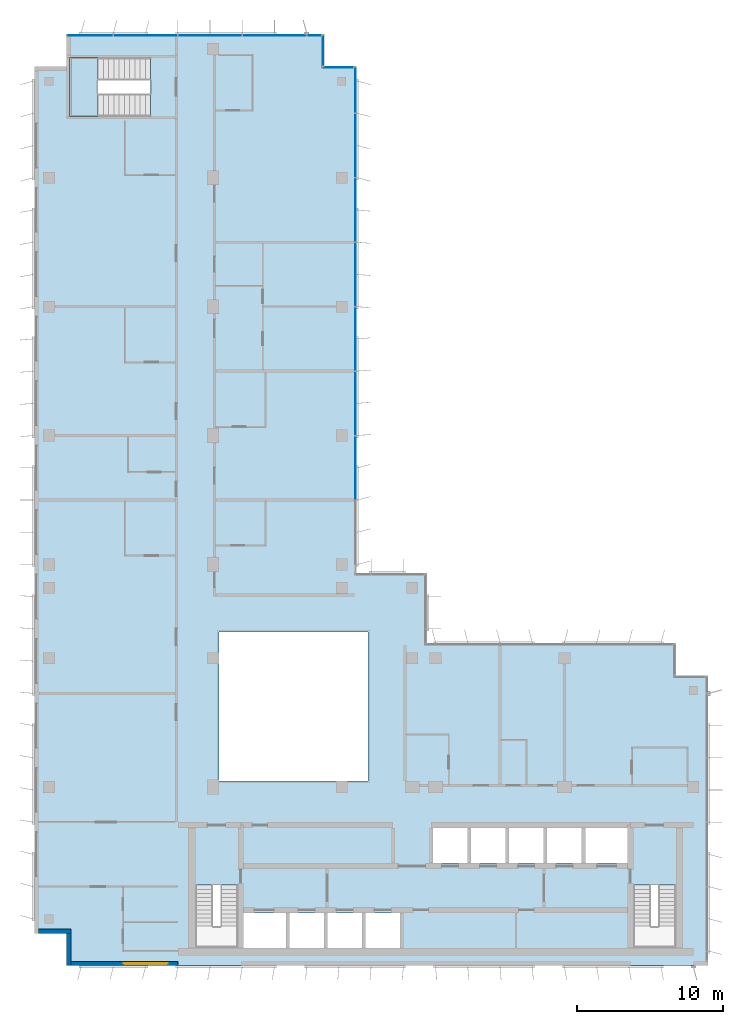
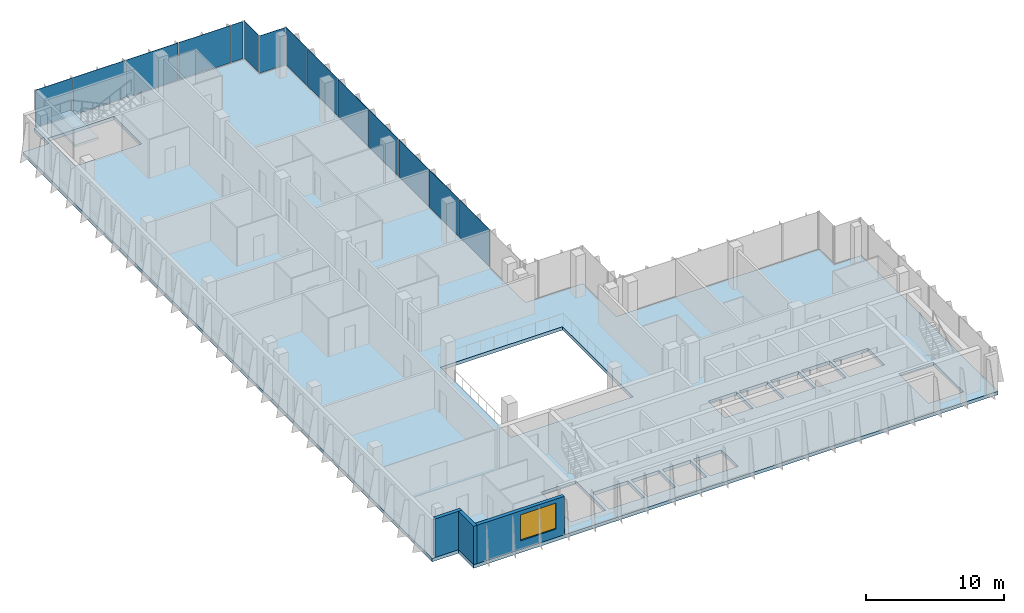
# One storey, part 8 of 15: 14 plates, 3 walls, 2 slabs, 1 window, 1 opening, 5 elements without a shape of their own.
"""IFC4 building model written with IfcOpenShell, lengths in metres."""

from ifc_helpers import new_model, si_unit, direction, frame, frame_2d, origin, origin_2d, place, context, subcontext, project, spatial, polyline, rectangle, outline, extrude, source, transform, mapped, material, layer, layer_set, type_object, element, fill, aggregate, save


model = new_model("IFC4")

# Units and contexts
model_context = context("Model", 3, precision=1e-05, world=origin(), true_north=direction((0.0, 1.0)))
body_context = subcontext(model_context, "Body", "Model", "MODEL_VIEW")
ifc_project = project(units=[si_unit("LENGTHUNIT", "METRE"), si_unit("AREAUNIT", "SQUARE_METRE"), si_unit("VOLUMEUNIT", "CUBIC_METRE"), si_unit("PLANEANGLEUNIT", "RADIAN"), si_unit("MASSUNIT", "GRAM", prefix="KILO")], contexts=[model_context])

# Site, building, storey
site_placement = place(None, origin())
site = spatial("IfcSite", under=ifc_project, at=site_placement, CompositionType="ELEMENT")
building_placement = place(site_placement, origin())
building = spatial("IfcBuilding", under=site, at=building_placement, Name="Kemantara Hotel Tower", CompositionType="ELEMENT")
storey_placement = place(building_placement, frame((0.0, 0.0, 264.800048828125)))
storey = spatial("IfcBuildingStorey", under=building, at=storey_placement, Name="L66", CompositionType="ELEMENT", Elevation=264.800048828125)

# Slab
ifc_material_1 = material(Name="Concrete fc 40 MPa", Category="concrete")
ifc_layer_1 = layer(ifc_material_1, 0.300048828125)
ifc_layer_set_1 = layer_set([ifc_layer_1], Name="Concrete fc 40 MPa")
slab_type_1 = type_object("IfcSlabType", Name="POST-TENSIONED FLAT PLATE 300", PredefinedType="FLOOR", material=ifc_layer_set_1)
slab_1_placement = place(storey_placement, frame((0.0, 0.0, -0.300048828125)))
element("IfcSlab", 1, at=slab_1_placement, inside=storey, type_object=slab_type_1, Name="FLOOR SLAB L66", PredefinedType="FLOOR", context=body_context, shape_type="SweptSolid", body=[
    extrude(outline(polyline([(22.0, 26.800048828125), (22.0, 61.39990234375), (19.800048828125, 61.39990234375), (19.800048828125, 63.60009765625), (2.199951171875, 63.60009765625), (2.199951171875, 61.39990234375), (0.0, 61.39990234375), (0.0, 2.199951171875), (2.199951171875, 2.199951171875), (2.199951171875, 0.0), (46.0, 0.0), (46.0, 19.800048828125), (43.800048828125, 19.800048828125), (43.800048828125, 22.0), (26.800048828125, 22.0), (26.800048828125, 26.800048828125), (22.0, 26.800048828125)]), holes=[polyline([(17.175048828125, 3.60009765625), (17.175048828125, 1.199951171875), (14.22509765625, 1.199951171875), (14.22509765625, 3.60009765625), (17.175048828125, 3.60009765625)]), polyline([(19.77490234375, 1.199951171875), (17.425048828125, 1.199951171875), (17.425048828125, 3.60009765625), (19.77490234375, 3.60009765625), (19.77490234375, 1.199951171875)]), polyline([(22.375, 1.199951171875), (20.02490234375, 1.199951171875), (20.02490234375, 3.60009765625), (22.375, 3.60009765625), (22.375, 1.199951171875)]), polyline([(24.97509765625, 3.60009765625), (24.97509765625, 1.199951171875), (22.625, 1.199951171875), (22.625, 3.60009765625), (24.97509765625, 3.60009765625)]), polyline([(11.0, 1.199951171875), (11.0, 5.49951171875), (13.89990234375, 5.49951171875), (13.89990234375, 1.199951171875), (11.0, 1.199951171875)]), polyline([(22.800048828125, 12.60009765625), (12.60009765625, 12.60009765625), (12.60009765625, 22.800048828125), (22.800048828125, 22.800048828125), (22.800048828125, 12.60009765625)]), polyline([(2.39990234375, 58.0), (2.39990234375, 62.0), (7.949462890625, 62.0), (7.949462890625, 58.0), (2.39990234375, 58.0)]), polyline([(40.89990234375, 1.199951171875), (40.89990234375, 5.49951171875), (43.800048828125, 5.49951171875), (43.800048828125, 1.199951171875), (40.89990234375, 1.199951171875)]), polyline([(29.574951171875, 7.0), (27.22509765625, 7.0), (27.22509765625, 9.39990234375), (29.574951171875, 9.39990234375), (29.574951171875, 7.0)]), polyline([(32.175048828125, 7.0), (29.824951171875, 7.0), (29.824951171875, 9.39990234375), (32.175048828125, 9.39990234375), (32.175048828125, 7.0)]), polyline([(34.77490234375, 7.0), (32.425048828125, 7.0), (32.425048828125, 9.39990234375), (34.77490234375, 9.39990234375), (34.77490234375, 7.0)]), polyline([(37.375, 7.0), (35.02490234375, 7.0), (35.02490234375, 9.39990234375), (37.375, 9.39990234375), (37.375, 7.0)]), polyline([(40.574951171875, 7.0), (37.625, 7.0), (37.625, 9.39990234375), (40.574951171875, 9.39990234375), (40.574951171875, 7.0)])]), origin(), (0.0, 0.0, 1.0), 0.300048828125),
])

# Stair, slab
stair_type = type_object("IfcStairType", Name="Stair 1550 wide 22 risers of 168 x 360 mm", PredefinedType="HALF_TURN_STAIR", material=ifc_material_1)
stair_placement = place(storey_placement, origin())
stair = element("IfcStair", 2, at=stair_placement, inside=storey, type_object=stair_type, Name="L66 Exit stair ST4", PredefinedType="HALF_TURN_STAIR")
ifc_layer_2 = layer(ifc_material_1, 0.199951171875)
ifc_layer_set_2 = layer_set([ifc_layer_2], Name="Concrete fc 40 MPa")
slab_type_2 = type_object("IfcSlabType", Name="Stair landing 200 mm", PredefinedType="LANDING", material=ifc_layer_set_2)
slab_2_placement = place(storey_placement, frame((0.0, 0.0, 1.64990234375)))
slab_2 = element("IfcSlab", 3, at=slab_2_placement, type_object=slab_type_2, Name="ST4 landing 1", PredefinedType="LANDING", context=body_context, shape_type="SweptSolid", body=[
    extrude(outline(polyline([(4.35009765625, 62.0), (2.39990234375, 62.0), (2.39990234375, 58.0), (4.35009765625, 58.0), (4.35009765625, 62.0)])), origin(), (0.0, 0.0, 1.0), 0.199951171875),
])
aggregate(stair, [slab_2])

# Curtain wall, plates
ifc_material_2 = material(Name="Low-E tinted double insulated glass 36 mm", Category="glass")
curtain_wall_type = type_object("IfcCurtainWallType", Name="TOWER CURTAIN WALL, FRONT FACES", PredefinedType="USERDEFINED", material=ifc_material_2)
curtain_wall_1_placement = place(storey_placement, origin())
curtain_wall_1 = element("IfcCurtainWall", 4, at=curtain_wall_1_placement, inside=storey, type_object=curtain_wall_type, Name="CW4 L66 T4-R02-1", ObjectType="TOWER CURTAIN WALL, FRONT FACES", PredefinedType="USERDEFINED")
ifc_layer_3 = layer(ifc_material_2, 0.035888671875)
ifc_layer_set_3 = layer_set([ifc_layer_3], Name="Low-E tinted double insulated glass 36 mm")
plate_type = type_object("IfcPlateType", Name="TOWER CURTAIN WALL, FRONT FACES PANEL", PredefinedType="CURTAIN_PANEL", material=ifc_layer_set_3)
shared_shape_1 = source(origin(), body_context, "Body", "SweptSolid", [
    extrude(rectangle(XDim=4.340087890625, YDim=0.035888671875, at=origin_2d()), origin(), (0.0, 0.0, 1.0), 3.280029296875),
])
plate_1_placement = place(storey_placement, frame((16.39990234375, 63.52490234375, 0.1201171875), z_axis=(0.0, 0.0, 1.0), x_axis=(-1.0, 0.0, 0.0)))
plate_1 = element("IfcPlate", 5, at=plate_1_placement, type_object=plate_type, Name="CW4 glass panel T4-R02-1.2", PredefinedType="CURTAIN_PANEL", context=body_context, shape_type="MappedRepresentation", body=[
    mapped(shared_shape_1, transform((0.0, 0.0, 0.0))),
])
plate_2_placement = place(storey_placement, frame((12.0, 63.52490234375, 0.1201171875), z_axis=(0.0, 0.0, 1.0), x_axis=(-1.0, 0.0, 0.0)))
plate_2 = element("IfcPlate", 6, at=plate_2_placement, type_object=plate_type, Name="CW4 glass panel T4-R02-1.3", PredefinedType="CURTAIN_PANEL", context=body_context, shape_type="MappedRepresentation", body=[
    mapped(shared_shape_1, transform((0.0, 0.0, 0.0))),
])
plate_3_placement = place(storey_placement, frame((7.60009765625, 63.52490234375, 0.1201171875), z_axis=(0.0, 0.0, 1.0), x_axis=(-1.0, 0.0, 0.0)))
plate_3 = element("IfcPlate", 7, at=plate_3_placement, type_object=plate_type, Name="CW4 glass panel T4-R02-1.4", PredefinedType="CURTAIN_PANEL", context=body_context, shape_type="MappedRepresentation", body=[
    mapped(shared_shape_1, transform((0.0, 0.0, 0.0))),
])

curtain_wall_2_placement = place(storey_placement, origin())
curtain_wall_2 = element("IfcCurtainWall", 8, at=curtain_wall_2_placement, inside=storey, type_object=curtain_wall_type, Name="CW4 L66 T4-R15-1", ObjectType="TOWER CURTAIN WALL, FRONT FACES", PredefinedType="USERDEFINED")
plate_4_placement = place(storey_placement, frame((21.925048828125, 34.0, 0.1201171875), z_axis=(0.0, 0.0, 1.0), x_axis=(0.0, 1.0, 0.0)))
plate_4 = element("IfcPlate", 9, at=plate_4_placement, type_object=plate_type, Name="CW4 glass panel T4-R15-1.3", PredefinedType="CURTAIN_PANEL", context=body_context, shape_type="MappedRepresentation", body=[
    mapped(shared_shape_1, transform((0.0, 0.0, 0.0))),
])
plate_5_placement = place(storey_placement, frame((21.925048828125, 38.39990234375, 0.1201171875), z_axis=(0.0, 0.0, 1.0), x_axis=(0.0, 1.0, 0.0)))
plate_5 = element("IfcPlate", 10, at=plate_5_placement, type_object=plate_type, Name="CW4 glass panel T4-R15-1.4", PredefinedType="CURTAIN_PANEL", context=body_context, shape_type="MappedRepresentation", body=[
    mapped(shared_shape_1, transform((0.0, 0.0, 0.0))),
])
plate_6_placement = place(storey_placement, frame((21.925048828125, 42.800048828125, 0.1201171875), z_axis=(0.0, 0.0, 1.0), x_axis=(0.0, 1.0, 0.0)))
plate_6 = element("IfcPlate", 11, at=plate_6_placement, type_object=plate_type, Name="CW4 glass panel T4-R15-1.5", PredefinedType="CURTAIN_PANEL", context=body_context, shape_type="MappedRepresentation", body=[
    mapped(shared_shape_1, transform((0.0, 0.0, 0.0))),
])
plate_7_placement = place(storey_placement, frame((21.925048828125, 47.199951171875, 0.1201171875), z_axis=(0.0, 0.0, 1.0), x_axis=(0.0, 1.0, 0.0)))
plate_7 = element("IfcPlate", 12, at=plate_7_placement, type_object=plate_type, Name="CW4 glass panel T4-R15-1.6", PredefinedType="CURTAIN_PANEL", context=body_context, shape_type="MappedRepresentation", body=[
    mapped(shared_shape_1, transform((0.0, 0.0, 0.0))),
])
plate_8_placement = place(storey_placement, frame((21.925048828125, 51.60009765625, 0.1201171875), z_axis=(0.0, 0.0, 1.0), x_axis=(0.0, 1.0, 0.0)))
plate_8 = element("IfcPlate", 13, at=plate_8_placement, type_object=plate_type, Name="CW4 glass panel T4-R15-1.7", PredefinedType="CURTAIN_PANEL", context=body_context, shape_type="MappedRepresentation", body=[
    mapped(shared_shape_1, transform((0.0, 0.0, 0.0))),
])
plate_9_placement = place(storey_placement, frame((21.925048828125, 56.0, 0.1201171875), z_axis=(0.0, 0.0, 1.0), x_axis=(0.0, 1.0, 0.0)))
plate_9 = element("IfcPlate", 14, at=plate_9_placement, type_object=plate_type, Name="CW4 glass panel T4-R15-1.8", PredefinedType="CURTAIN_PANEL", context=body_context, shape_type="MappedRepresentation", body=[
    mapped(shared_shape_1, transform((0.0, 0.0, 0.0))),
])

# Plate
shared_shape_2 = source(origin(), body_context, "Body", "SweptSolid", [
    extrude(rectangle(XDim=3.110107421875, YDim=0.035888671875, at=origin_2d()), origin(), (0.0, 0.0, 1.0), 3.280029296875),
])
plate_10_placement = place(storey_placement, frame((3.81494140625, 63.52490234375, 0.1201171875), z_axis=(0.0, 0.0, 1.0), x_axis=(-1.0, 0.0, 0.0)))
plate_10 = element("IfcPlate", 15, at=plate_10_placement, type_object=plate_type, Name="CW4 glass panel T4-R02-1.5", PredefinedType="CURTAIN_PANEL", context=body_context, shape_type="MappedRepresentation", body=[
    mapped(shared_shape_2, transform((0.0, 0.0, 0.0))),
])

plate_11_placement = place(storey_placement, frame((21.925048828125, 59.784912109375, 0.1201171875), z_axis=(0.0, 0.0, 1.0), x_axis=(0.0, 1.0, 0.0)))
plate_11 = element("IfcPlate", 16, at=plate_11_placement, type_object=plate_type, Name="CW4 glass panel T4-R15-1.9", PredefinedType="CURTAIN_PANEL", context=body_context, shape_type="MappedRepresentation", body=[
    mapped(shared_shape_2, transform((0.0, 0.0, 0.0))),
])

aggregate(curtain_wall_2, [plate_4, plate_5, plate_6, plate_7, plate_8, plate_9, plate_11])

# Curtain wall, plate
curtain_wall_3_placement = place(storey_placement, origin())
curtain_wall_3 = element("IfcCurtainWall", 17, at=curtain_wall_3_placement, inside=storey, type_object=curtain_wall_type, Name="CW4 L66 T4-R00-1", ObjectType="TOWER CURTAIN WALL, FRONT FACES", PredefinedType="USERDEFINED")
shared_shape_3 = source(origin(), body_context, "Body", "SweptSolid", [
    extrude(rectangle(XDim=2.080078125, YDim=0.035888671875, at=origin_2d()), origin(), (0.0, 0.0, 1.0), 3.280029296875),
])
plate_12_placement = place(storey_placement, frame((20.75, 61.324951171875, 0.1201171875), z_axis=(0.0, 0.0, 1.0), x_axis=(-1.0, 0.0, 0.0)))
plate_12 = element("IfcPlate", 18, at=plate_12_placement, type_object=plate_type, Name="CW4 glass panel T4-R00-1.1", PredefinedType="CURTAIN_PANEL", context=body_context, shape_type="MappedRepresentation", body=[
    mapped(shared_shape_3, transform((0.0, 0.0, 0.0))),
])
aggregate(curtain_wall_3, [plate_12])

curtain_wall_4_placement = place(storey_placement, origin())
curtain_wall_4 = element("IfcCurtainWall", 19, at=curtain_wall_4_placement, inside=storey, type_object=curtain_wall_type, Name="CW4 L66 T4-R01-1", ObjectType="TOWER CURTAIN WALL, FRONT FACES", PredefinedType="USERDEFINED")
plate_13_placement = place(storey_placement, frame((19.72509765625, 62.5, 0.1201171875), z_axis=(0.0, 0.0, 1.0), x_axis=(0.0, 1.0, 0.0)))
plate_13 = element("IfcPlate", 20, at=plate_13_placement, type_object=plate_type, Name="CW4 glass panel T4-R01-1.1", PredefinedType="CURTAIN_PANEL", context=body_context, shape_type="MappedRepresentation", body=[
    mapped(shared_shape_3, transform((0.0, 0.0, 0.0))),
])
aggregate(curtain_wall_4, [plate_13])

# Plate
shared_shape_4 = source(origin(), body_context, "Body", "SweptSolid", [
    extrude(rectangle(XDim=0.9599609375, YDim=0.035888671875, at=origin_2d()), origin(), (0.0, 0.0, 1.0), 3.280029296875),
])
plate_14_placement = place(storey_placement, frame((19.110107421875, 63.52490234375, 0.1201171875), z_axis=(0.0, 0.0, 1.0), x_axis=(-1.0, 0.0, 0.0)))
plate_14 = element("IfcPlate", 21, at=plate_14_placement, type_object=plate_type, Name="CW4 glass panel T4-R02-1.1", PredefinedType="CURTAIN_PANEL", context=body_context, shape_type="MappedRepresentation", body=[
    mapped(shared_shape_4, transform((0.0, 0.0, 0.0))),
])

aggregate(curtain_wall_1, [plate_14, plate_1, plate_2, plate_3, plate_10])

# Walls
ifc_material_3 = material(Name="Bronze anodised aluminium cladding on insulated steel stud wall", Category="steel")
ifc_layer_4 = layer(ifc_material_3, 0.300048828125)
ifc_layer_set_4 = layer_set([ifc_layer_4], Name="Bronze anodised aluminium cladding on insulated steel stud wall")
wall_type = type_object("IfcWallType", Name="BRONZE METAL-CLAD EXTERNAL WALL 300", PredefinedType="STANDARD", material=ifc_layer_set_4)
for number, where, z_axis, x_axis, name in (
    (22, (0.300048828125, 2.35009765625, 0.0), (0.0, 0.0, 1.0), (1.0, 0.0, 0.0), "EXTERNAL WALL L66 T4-R06"),
    (23, (2.35009765625, 2.199951171875, 0.0), (0.0, 0.0, 1.0), (0.0, -1.0, 0.0), "EXTERNAL WALL L66 T4-R07"),
):
    element("IfcWall", number, at=place(storey_placement, frame(where, z_axis=z_axis, x_axis=x_axis)), inside=storey, type_object=wall_type, Name=name, PredefinedType="STANDARD", context=body_context, shape_type="SweptSolid", body=[
        extrude(rectangle(XDim=2.199951171875, YDim=0.300048828125, at=frame_2d((1.10009765625, 0.0))), origin(), (0.0, 0.0, 1.0), 3.39990234375),
    ])

# Wall, opening, window
wall_placement = place(storey_placement, frame((2.5, 0.14990234375, 0.0), z_axis=(0.0, 0.0, 1.0), x_axis=(1.0, 0.0, 0.0)))
wall = element("IfcWall", 24, at=wall_placement, inside=storey, type_object=wall_type, Name="EXTERNAL WALL L66 T4-R08", PredefinedType="STANDARD", context=body_context, shape_type="SweptSolid", body=[
    extrude(rectangle(XDim=7.300048828125, YDim=0.300048828125, at=frame_2d((3.64990234375, 0.0))), origin(), (0.0, 0.0, 1.0), 3.39990234375),
])
opening_placement = place(wall_placement, frame((3.60009765625, 0.0, 0.75)))
opening = element("IfcOpeningElement", 25, at=opening_placement, cuts=wall, Name="Opening W1", PredefinedType="OPENING", context=body_context, shape_type="SweptSolid", body=[
    extrude(rectangle(XDim=3.0, YDim=2.300048828125, at=frame_2d((1.5, 1.14990234375))), frame((0.0, 0.159912109375, 0.0), z_axis=(0.0, -1.0, 0.0), x_axis=(1.0, 0.0, 0.0)), (0.0, 0.0, 1.0), 0.320068359375),
])
ifc_material_4 = material(Name="Low-E tinted double insulated glass in bronze anodised aluminium frame", Category="aluminium")
window_type = type_object("IfcWindowType", Name="CHICAGO WINDOW, TRIPLE PANEL 3000x2300", PartitioningType="TRIPLE_PANEL_VERTICAL", PredefinedType="WINDOW", material=ifc_material_4)
window_placement = place(opening_placement, origin())
window = element("IfcWindow", 26, at=window_placement, inside=storey, type_object=window_type, Name="CHICAGO WINDOW L66 T4-R08-54", OverallHeight=2.300048828125, OverallWidth=3.0, PartitioningType="SINGLE_PANEL", PredefinedType="WINDOW", context=body_context, shape_type="SweptSolid", body=[
    extrude(rectangle(XDim=3.0, YDim=2.300048828125, at=frame_2d((1.5, 1.14990234375))), frame((0.0, 0.030029296875, 0.0), z_axis=(0.0, -1.0, 0.0), x_axis=(1.0, 0.0, 0.0)), (0.0, 0.0, 1.0), 0.06005859375),
])
fill(opening, window)

save(model, "model.ifc")
